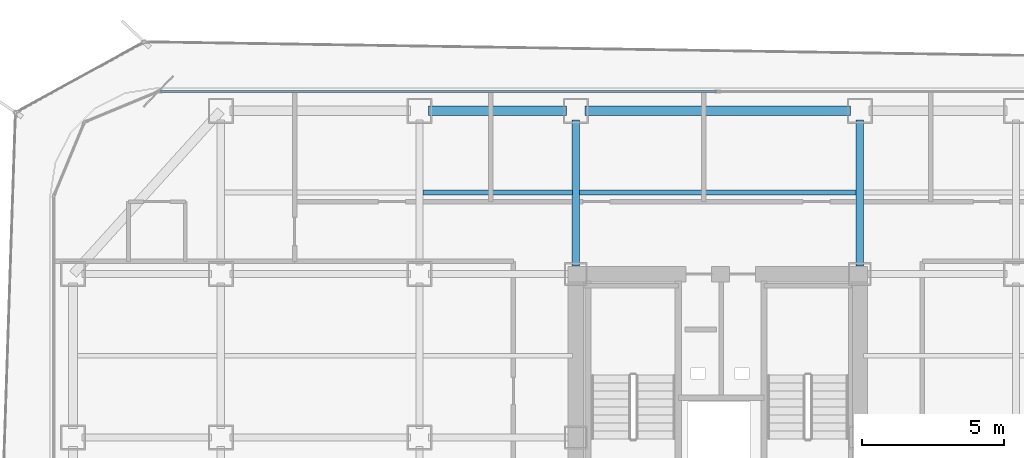
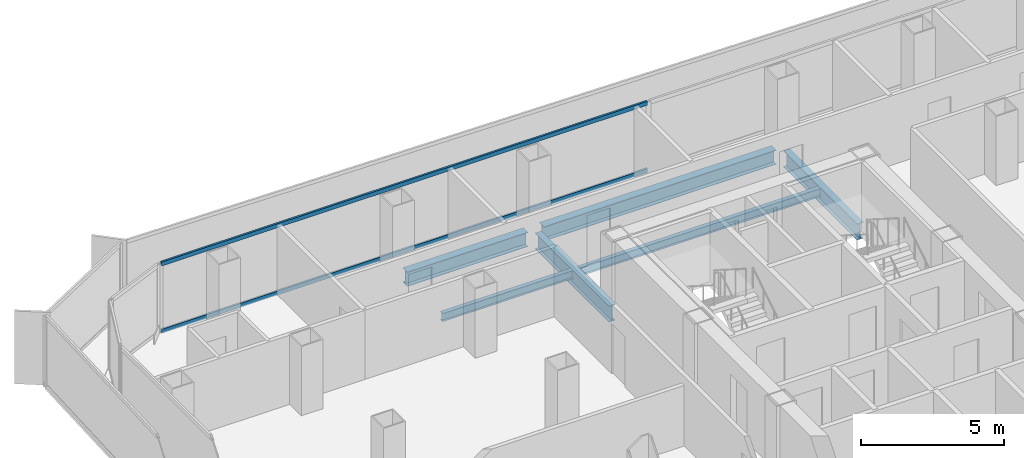
# One storey, part 11 of 21: 6 beams, 2 members, 1 element without a shape of its own.
"""IFC4 building model written with IfcOpenShell, lengths in metres."""

from ifc_helpers import new_model, si_unit, direction, frame, origin, origin_2d, place, context, subcontext, project, spatial, hollow_rectangle, i_section, extrude, source, transform, mapped, material, layer, layer_set, material_profile, profile_set, type_object, element, aggregate, save


model = new_model("IFC4")

# Units and contexts
model_context = context("Model", 3, precision=1e-05, world=origin(), true_north=direction((0.0, 1.0)))
body_context = subcontext(model_context, "Body", "Model", "MODEL_VIEW")
ifc_project = project(units=[si_unit("LENGTHUNIT", "METRE"), si_unit("AREAUNIT", "SQUARE_METRE"), si_unit("VOLUMEUNIT", "CUBIC_METRE"), si_unit("PLANEANGLEUNIT", "RADIAN"), si_unit("MASSUNIT", "GRAM", prefix="KILO")], contexts=[model_context])

# Site, building, storey
site_placement = place(None, origin())
site = spatial("IfcSite", under=ifc_project, at=site_placement, CompositionType="ELEMENT")
building_placement = place(site_placement, origin())
building = spatial("IfcBuilding", under=site, at=building_placement, Name="Kolveth Station Tower", CompositionType="ELEMENT")
storey_placement = place(building_placement, frame((0.0, 0.0, 111.89990234375)))
storey = spatial("IfcBuildingStorey", under=building, at=storey_placement, Name="L30", CompositionType="ELEMENT", Elevation=111.89990234375)

# Beams
ifc_material_1 = material(Name="Steel S355", Category="steel")
ifc_material_profile_1 = material_profile(ifc_material_1, i_section(OverallWidth=0.323974609375, OverallDepth=0.611083984375, WebThickness=0.0126953125, FlangeThickness=0.01904296875, at=origin_2d()), Name="W610x155")
ifc_profile_set_1 = profile_set([ifc_material_profile_1], Name="Steel S355")
beam_type_1 = type_object("IfcBeamType", Name="Beam_SP2", PredefinedType="SPANDREL", material=ifc_profile_set_1)
shared_shape_1 = source(origin(), body_context, "Body", "SweptSolid", [
    extrude(i_section(OverallWidth=0.323974609375, OverallDepth=0.611083984375, WebThickness=0.0126953125, FlangeThickness=0.01904296875, at=origin_2d()), origin(), (0.0, 0.0, 1.0), 4.85986328125),
])
beam_1_placement = place(storey_placement, frame((13.320068359375, 34.5, -0.555419921875), z_axis=(1.0, 0.0, 0.0), x_axis=(0.0, 1.0, 0.0)))
element("IfcBeam", 1, at=beam_1_placement, inside=storey, type_object=beam_type_1, Name="L30 Perimeter Spandrel BM-L30-PN-2", PredefinedType="SPANDREL", context=body_context, shape_type="MappedRepresentation", body=[
    mapped(shared_shape_1, transform((0.0, 0.0, 0.0), x_axis=(1.0, 0.0, 0.0), y_axis=(0.0, 1.0, 0.0), z_axis=(0.0, 0.0, 1.0), scale=1.0)),
])
shared_shape_2 = source(origin(), body_context, "Body", "SweptSolid", [
    extrude(i_section(OverallWidth=0.323974609375, OverallDepth=0.611083984375, WebThickness=0.0126953125, FlangeThickness=0.01904296875, at=origin_2d()), origin(), (0.0, 0.0, 1.0), 9.35986328125),
])
beam_2_placement = place(storey_placement, frame((18.820068359375, 34.5, -0.555419921875), z_axis=(1.0, 0.0, 0.0), x_axis=(0.0, 1.0, 0.0)))
element("IfcBeam", 2, at=beam_2_placement, inside=storey, type_object=beam_type_1, Name="L30 Perimeter Spandrel BM-L30-PN-3", PredefinedType="SPANDREL", context=body_context, shape_type="MappedRepresentation", body=[
    mapped(shared_shape_2, transform((0.0, 0.0, 0.0), x_axis=(1.0, 0.0, 0.0), y_axis=(0.0, 1.0, 0.0), z_axis=(0.0, 0.0, 1.0), scale=1.0)),
])
ifc_material_profile_2 = material_profile(ifc_material_1, i_section(OverallWidth=0.25390625, OverallDepth=0.68798828125, WebThickness=0.01318359375, FlangeThickness=0.02099609375, at=origin_2d()), Name="W690x152")
ifc_profile_set_2 = profile_set([ifc_material_profile_2], Name="Steel S355")
beam_type_2 = type_object("IfcBeamType", Name="Beam_B4", PredefinedType="BEAM", material=ifc_profile_set_2)
shared_shape_3 = source(origin(), body_context, "Body", "SweptSolid", [
    extrude(i_section(OverallWidth=0.25390625, OverallDepth=0.68798828125, WebThickness=0.01318359375, FlangeThickness=0.02099609375, at=origin_2d()), origin(), (0.0, 0.0, 1.0), 5.14990234375),
])
for number, where, z_axis, x_axis, name in (
    (3, (18.5, 29.030029296875, -0.593994140625), (0.0, 1.0, 0.0), (-1.0, 0.0, 0.0), "L30 Primary Girder BM-L30-GX185-6"),
    (4, (28.5, 29.030029296875, -0.593994140625), (0.0, 1.0, 0.0), (-1.0, 0.0, 0.0), "L30 Primary Girder BM-L30-GX285-6"),
):
    element("IfcBeam", number, at=place(storey_placement, frame(where, z_axis=z_axis, x_axis=x_axis)), inside=storey, type_object=beam_type_2, Name=name, PredefinedType="BEAM", context=body_context, shape_type="MappedRepresentation", body=[
        mapped(shared_shape_3, transform((0.0, 0.0, 0.0), x_axis=(1.0, 0.0, 0.0), y_axis=(0.0, 1.0, 0.0), z_axis=(0.0, 0.0, 1.0), scale=1.0)),
    ])
ifc_material_profile_3 = material_profile(ifc_material_1, i_section(OverallWidth=0.1708984375, OverallDepth=0.35205078125, WebThickness=0.0068359375, FlangeThickness=0.009765625, at=origin_2d()), Name="W360x44")
ifc_profile_set_3 = profile_set([ifc_material_profile_3], Name="Steel S355")
beam_type_3 = type_object("IfcBeamType", Name="Beam_J2", PredefinedType="JOIST", material=ifc_profile_set_3)
shared_shape_4 = source(origin(), body_context, "Body", "SweptSolid", [
    extrude(i_section(OverallWidth=0.1708984375, OverallDepth=0.35205078125, WebThickness=0.0068359375, FlangeThickness=0.009765625, at=origin_2d()), origin(), (0.0, 0.0, 1.0), 5.25),
])
beam_3_placement = place(storey_placement, frame((13.125, 31.625, -0.42578125), z_axis=(1.0, 0.0, 0.0), x_axis=(0.0, 1.0, 0.0)))
element("IfcBeam", 5, at=beam_3_placement, inside=storey, type_object=beam_type_3, Name="L30 Secondary Joist JST-L30-3-6", PredefinedType="JOIST", context=body_context, shape_type="MappedRepresentation", body=[
    mapped(shared_shape_4, transform((0.0, 0.0, 0.0), x_axis=(1.0, 0.0, 0.0), y_axis=(0.0, 1.0, 0.0), z_axis=(0.0, 0.0, 1.0), scale=1.0)),
])
shared_shape_5 = source(origin(), body_context, "Body", "SweptSolid", [
    extrude(i_section(OverallWidth=0.1708984375, OverallDepth=0.35205078125, WebThickness=0.0068359375, FlangeThickness=0.009765625, at=origin_2d()), origin(), (0.0, 0.0, 1.0), 9.75),
])
beam_4_placement = place(storey_placement, frame((18.625, 31.625, -0.42578125), z_axis=(1.0, 0.0, 0.0), x_axis=(0.0, 1.0, 0.0)))
element("IfcBeam", 6, at=beam_4_placement, inside=storey, type_object=beam_type_3, Name="L30 Secondary Joist JST-L30-4-6", PredefinedType="JOIST", context=body_context, shape_type="MappedRepresentation", body=[
    mapped(shared_shape_5, transform((0.0, 0.0, 0.0), x_axis=(1.0, 0.0, 0.0), y_axis=(0.0, 1.0, 0.0), z_axis=(0.0, 0.0, 1.0), scale=1.0)),
])

# Curtain wall, members
ifc_material_2 = material(Name="Aluminium 6063-T6 and low-E dark glass", Category="aluminium")
ifc_layer = layer(ifc_material_2, 0.18994140625)
ifc_layer_set = layer_set([ifc_layer], Name="Aluminium 6063-T6 and low-E dark glass")
curtain_wall_type = type_object("IfcCurtainWallType", Name="CurtainWall_CW-Z2", PredefinedType="NOTDEFINED", material=ifc_layer_set)
curtain_wall_placement = place(storey_placement, origin())
curtain_wall = element("IfcCurtainWall", 7, at=curtain_wall_placement, inside=storey, type_object=curtain_wall_type, Name="L30 Inner Thermal Curtain Wall 6", PredefinedType="NOTDEFINED")
ifc_material_3 = material(Name="Black anodized aluminium 6063-T6", Category="aluminium")
ifc_material_profile_4 = material_profile(ifc_material_3, hollow_rectangle(XDim=0.080078125, YDim=0.169921875, WallThickness=0.0048828125, at=origin_2d()), Name="ALU-80x170x5")
ifc_profile_set_4 = profile_set([ifc_material_profile_4], Name="Black anodized aluminium 6063-T6")
member_type = type_object("IfcMemberType", Name="Transom_TR2", PredefinedType="USERDEFINED", material=ifc_profile_set_4)
shared_shape_6 = source(origin(), body_context, "Body", "SweptSolid", [
    extrude(hollow_rectangle(XDim=0.080078125, YDim=0.169921875, WallThickness=0.0048828125, at=origin_2d()), origin(), (0.0, 0.0, 1.0), 19.580078125),
])
member_1_placement = place(storey_placement, frame((23.4599609375, 35.179931640625, 0.0400390625), z_axis=(-1.0, 0.0, 0.0), x_axis=(0.0, -1.0, 0.0)))
member_1 = element("IfcMember", 8, at=member_1_placement, type_object=member_type, Name="CW-Z2 transom 2.1", ObjectType="TRANSOM", PredefinedType="USERDEFINED", context=body_context, shape_type="MappedRepresentation", body=[
    mapped(shared_shape_6, transform((0.0, 0.0, 0.0), x_axis=(1.0, 0.0, 0.0), y_axis=(0.0, 1.0, 0.0), z_axis=(0.0, 0.0, 1.0), scale=1.0)),
])
member_2_placement = place(storey_placement, frame((23.4599609375, 35.179931640625, 2.91015625), z_axis=(-1.0, 0.0, 0.0), x_axis=(0.0, -1.0, 0.0)))
member_2 = element("IfcMember", 9, at=member_2_placement, type_object=member_type, Name="CW-Z2 transom 2.2", ObjectType="TRANSOM", PredefinedType="USERDEFINED", context=body_context, shape_type="MappedRepresentation", body=[
    mapped(shared_shape_6, transform((0.0, 0.0, 0.0), x_axis=(1.0, 0.0, 0.0), y_axis=(0.0, 1.0, 0.0), z_axis=(0.0, 0.0, 1.0), scale=1.0)),
])
aggregate(curtain_wall, [member_1, member_2])

save(model, "model.ifc")
